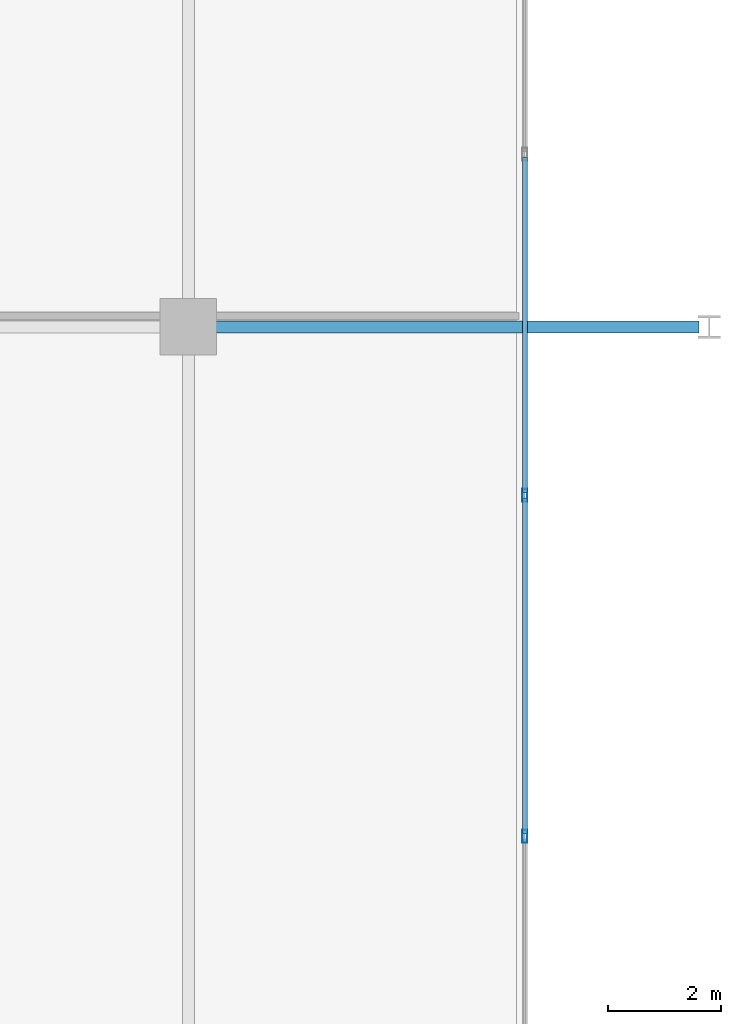
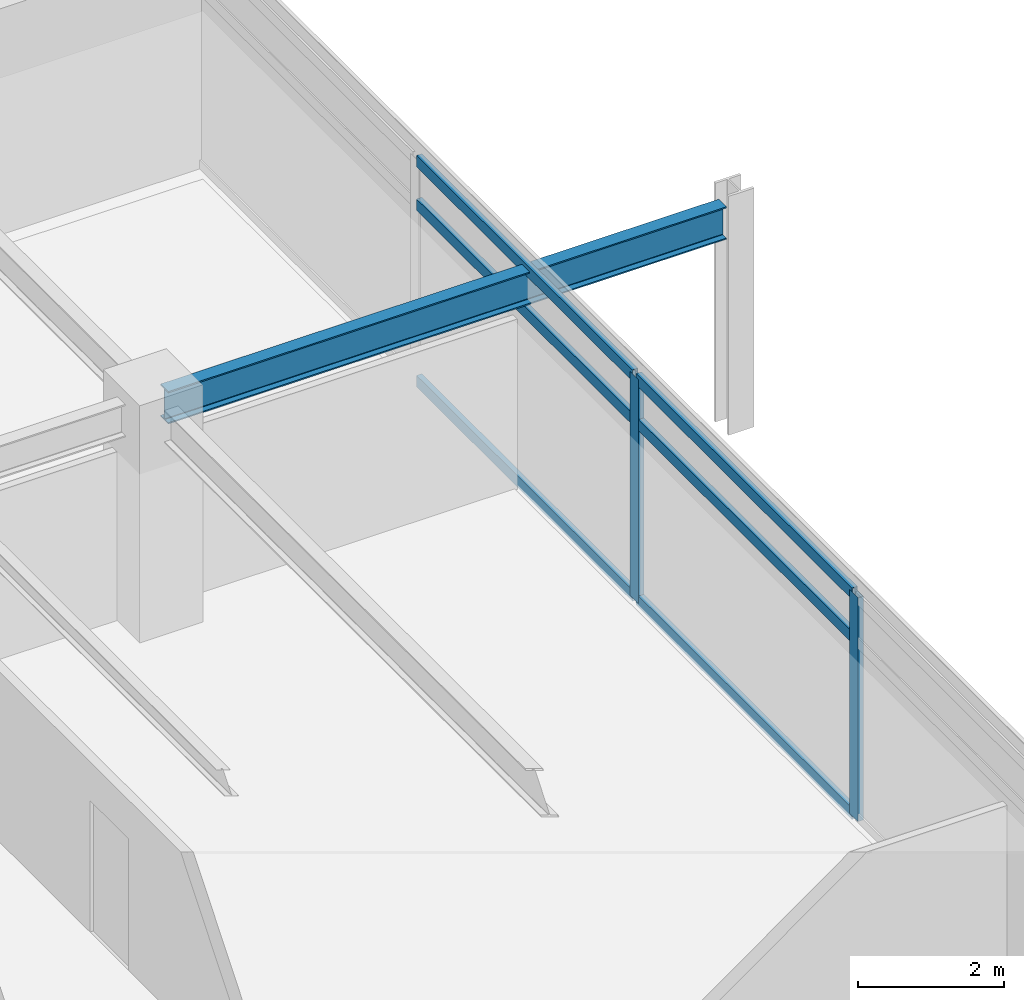
# One storey, part 9 of 20: 8 members, 1 beam, 1 element without a shape of its own.
"""IFC4 building model written with IfcOpenShell, lengths in metres."""

from ifc_helpers import new_model, si_unit, direction, frame, origin, origin_2d, place, context, subcontext, project, spatial, hollow_rectangle, i_section, extrude, material, material_profile, profile_set, type_object, element, aggregate, save


model = new_model("IFC4")

# Units and contexts
model_context = context("Model", 3, precision=1e-05, world=origin(), true_north=direction((0.0, 1.0)))
body_context = subcontext(model_context, "Body", "Model", "MODEL_VIEW")
ifc_project = project(units=[si_unit("LENGTHUNIT", "METRE"), si_unit("AREAUNIT", "SQUARE_METRE"), si_unit("VOLUMEUNIT", "CUBIC_METRE"), si_unit("PLANEANGLEUNIT", "RADIAN"), si_unit("MASSUNIT", "GRAM", prefix="KILO")], contexts=[model_context])

# Site, building, storey
site_placement = place(None, origin())
site = spatial("IfcSite", under=ifc_project, at=site_placement, CompositionType="ELEMENT")
building_placement = place(site_placement, origin())
building = spatial("IfcBuilding", under=site, at=building_placement, Name="Kovane Verandah Tower", CompositionType="ELEMENT")
storey_placement = place(building_placement, frame((0.0, 0.0, 334.800048828125)))
storey = spatial("IfcBuildingStorey", under=building, at=storey_placement, Name="L78", CompositionType="ELEMENT", Elevation=334.800048828125)

# Beam
ifc_material_1 = material(Name="Steel S355", Category="steel")
ifc_material_profile_1 = material_profile(ifc_material_1, i_section(OverallWidth=0.2119140625, OverallDepth=0.54443359375, WebThickness=0.0126953125, FlangeThickness=0.021240234375, FilletRadius=0.0126953125, at=origin_2d()), Name="UB533x210x122")
ifc_profile_set_1 = profile_set([ifc_material_profile_1], Name="Steel S355")
beam_type = type_object("IfcBeamType", Name="BM-UB533x122", PredefinedType="BEAM", material=ifc_profile_set_1)
beam_placement = place(storey_placement, frame((58.580078125, 36.5, 3.48779296875), z_axis=(1.0, 0.0, 0.0), x_axis=(0.0, 1.0, 0.0)))
element("IfcBeam", 1, at=beam_placement, inside=storey, type_object=beam_type, Name="L78 Primary Tower Girder G-VE2", PredefinedType="BEAM", context=body_context, shape_type="SweptSolid", body=[
    extrude(i_section(OverallWidth=0.2119140625, OverallDepth=0.54443359375, WebThickness=0.0126953125, FlangeThickness=0.021240234375, FilletRadius=0.0126953125, at=origin_2d()), origin(), (0.0, 0.0, 1.0), 8.83984375),
])

# Curtain wall, members
ifc_material_2 = material(Name="Champagne Anodised Aluminium Frame with Low-E Clear Laminated Glass", Category="aluminium")
curtain_wall_type = type_object("IfcCurtainWallType", Name="CW-SYS-05-HIGH", PredefinedType="NOTDEFINED", material=ifc_material_2)
curtain_wall_placement = place(storey_placement, origin())
curtain_wall = element("IfcCurtainWall", 2, at=curtain_wall_placement, inside=storey, type_object=curtain_wall_type, Name="L78 E Unitised Curtain Wall", PredefinedType="NOTDEFINED")
ifc_material_3 = material(Name="Champagne Anodised Aluminium 6063-T6", Category="aluminium")
ifc_material_profile_2 = material_profile(ifc_material_3, hollow_rectangle(XDim=0.0849609375, YDim=0.22998046875, WallThickness=0.00390625, at=origin_2d()), Name="AL85x230x4")
ifc_profile_set_2 = profile_set([ifc_material_profile_2], Name="Champagne Anodised Aluminium 6063-T6")
member_type_1 = type_object("IfcMemberType", Name="CW-MUL-85x230", PredefinedType="MULLION", material=ifc_profile_set_2)
member_1_placement = place(storey_placement, frame((64.344482421875, 27.5, 0.02001953125), z_axis=(0.0, 0.0, 1.0), x_axis=(1.0, 0.0, 0.0)))
member_1 = element("IfcMember", 3, at=member_1_placement, type_object=member_type_1, Name="L78 E Unitised Curtain Wall Mullion 4", PredefinedType="MULLION", context=body_context, shape_type="SweptSolid", body=[
    extrude(hollow_rectangle(XDim=0.0849609375, YDim=0.22998046875, WallThickness=0.00390625, at=origin_2d()), origin(), (0.0, 0.0, 1.0), 3.744873046875),
])
member_2_placement = place(storey_placement, frame((64.344482421875, 33.524169921875, 0.02001953125), z_axis=(0.0, 0.0, 1.0), x_axis=(1.0, 0.0, 0.0)))
member_2 = element("IfcMember", 4, at=member_2_placement, type_object=member_type_1, Name="L78 E Unitised Curtain Wall Mullion 5", PredefinedType="MULLION", context=body_context, shape_type="SweptSolid", body=[
    extrude(hollow_rectangle(XDim=0.0849609375, YDim=0.22998046875, WallThickness=0.00390625, at=origin_2d()), origin(), (0.0, 0.0, 1.0), 3.744873046875),
])
ifc_material_profile_3 = material_profile(ifc_material_3, hollow_rectangle(XDim=0.0849609375, YDim=0.18994140625, WallThickness=0.00390625, at=origin_2d()), Name="AL85x190x4")
ifc_profile_set_3 = profile_set([ifc_material_profile_3], Name="Champagne Anodised Aluminium 6063-T6")
member_type_2 = type_object("IfcMemberType", Name="CW-TRN-85x190", PredefinedType="USERDEFINED", material=ifc_profile_set_3)
member_3_placement = place(storey_placement, frame((64.344482421875, 27.550048828125, 0.050048828125), z_axis=(0.0, 1.0, 0.0), x_axis=(-1.0, 0.0, 0.0)))
member_3 = element("IfcMember", 5, at=member_3_placement, type_object=member_type_2, Name="L78 E Unitised Curtain Wall Transom TB Bay 4", ObjectType="TRANSOM", PredefinedType="USERDEFINED", context=body_context, shape_type="SweptSolid", body=[
    extrude(hollow_rectangle(XDim=0.0849609375, YDim=0.18994140625, WallThickness=0.00390625, at=origin_2d()), origin(), (0.0, 0.0, 1.0), 5.924072265625),
])
member_4_placement = place(storey_placement, frame((64.344482421875, 27.550048828125, 3.0048828125), z_axis=(0.0, 1.0, 0.0), x_axis=(-1.0, 0.0, 0.0)))
member_4 = element("IfcMember", 6, at=member_4_placement, type_object=member_type_2, Name="L78 E Unitised Curtain Wall Transom TM Bay 4", ObjectType="TRANSOM", PredefinedType="USERDEFINED", context=body_context, shape_type="SweptSolid", body=[
    extrude(hollow_rectangle(XDim=0.0849609375, YDim=0.18994140625, WallThickness=0.00390625, at=origin_2d()), origin(), (0.0, 0.0, 1.0), 5.924072265625),
])
member_5_placement = place(storey_placement, frame((64.344482421875, 27.550048828125, 3.73486328125), z_axis=(0.0, 1.0, 0.0), x_axis=(-1.0, 0.0, 0.0)))
member_5 = element("IfcMember", 7, at=member_5_placement, type_object=member_type_2, Name="L78 E Unitised Curtain Wall Transom TT Bay 4", ObjectType="TRANSOM", PredefinedType="USERDEFINED", context=body_context, shape_type="SweptSolid", body=[
    extrude(hollow_rectangle(XDim=0.0849609375, YDim=0.18994140625, WallThickness=0.00390625, at=origin_2d()), origin(), (0.0, 0.0, 1.0), 5.924072265625),
])
member_6_placement = place(storey_placement, frame((64.344482421875, 33.57421875, 0.050048828125), z_axis=(0.0, 1.0, 0.0), x_axis=(-1.0, 0.0, 0.0)))
member_6 = element("IfcMember", 8, at=member_6_placement, type_object=member_type_2, Name="L78 E Unitised Curtain Wall Transom TB Bay 5", ObjectType="TRANSOM", PredefinedType="USERDEFINED", context=body_context, shape_type="SweptSolid", body=[
    extrude(hollow_rectangle(XDim=0.0849609375, YDim=0.18994140625, WallThickness=0.00390625, at=origin_2d()), origin(), (0.0, 0.0, 1.0), 5.923828125),
])
member_7_placement = place(storey_placement, frame((64.344482421875, 33.57421875, 3.0048828125), z_axis=(0.0, 1.0, 0.0), x_axis=(-1.0, 0.0, 0.0)))
member_7 = element("IfcMember", 9, at=member_7_placement, type_object=member_type_2, Name="L78 E Unitised Curtain Wall Transom TM Bay 5", ObjectType="TRANSOM", PredefinedType="USERDEFINED", context=body_context, shape_type="SweptSolid", body=[
    extrude(hollow_rectangle(XDim=0.0849609375, YDim=0.18994140625, WallThickness=0.00390625, at=origin_2d()), origin(), (0.0, 0.0, 1.0), 5.923828125),
])
member_8_placement = place(storey_placement, frame((64.344482421875, 33.57421875, 3.73486328125), z_axis=(0.0, 1.0, 0.0), x_axis=(-1.0, 0.0, 0.0)))
member_8 = element("IfcMember", 10, at=member_8_placement, type_object=member_type_2, Name="L78 E Unitised Curtain Wall Transom TT Bay 5", ObjectType="TRANSOM", PredefinedType="USERDEFINED", context=body_context, shape_type="SweptSolid", body=[
    extrude(hollow_rectangle(XDim=0.0849609375, YDim=0.18994140625, WallThickness=0.00390625, at=origin_2d()), origin(), (0.0, 0.0, 1.0), 5.923828125),
])
aggregate(curtain_wall, [member_1, member_2, member_3, member_4, member_5, member_6, member_7, member_8])

save(model, "model.ifc")
